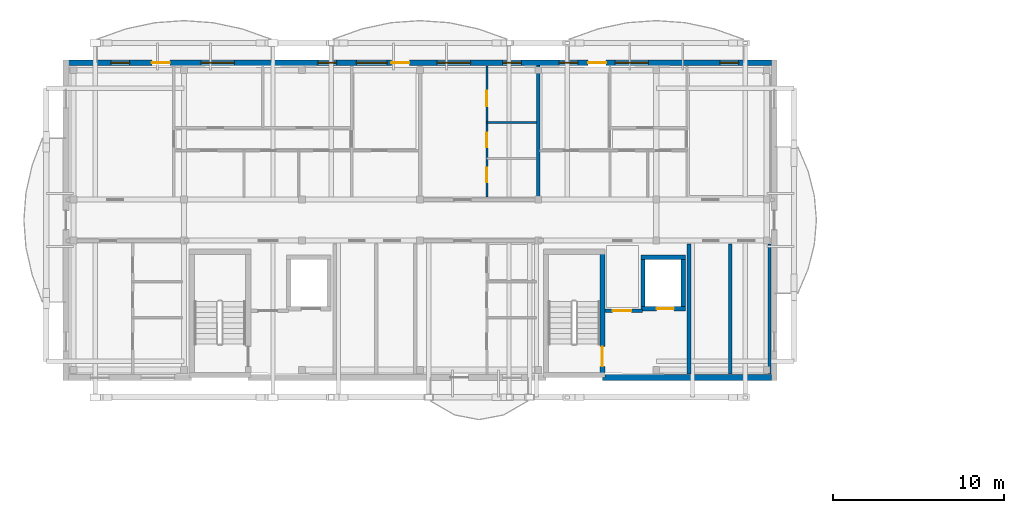
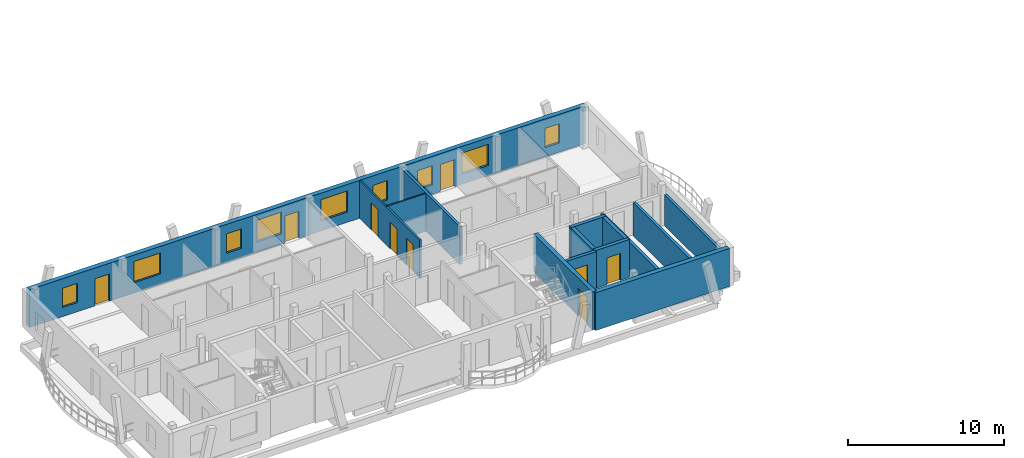
# One storey, part 19 of 33: 14 walls, 9 doors, 9 windows, 18 openings.
"""IFC4 building model written with IfcOpenShell, lengths in metres."""

import ifcopenshell
import ifcopenshell.guid

model = None  # the IFC model being written
_history = None  # IfcOwnerHistory: only IFC2X3 demands one
_inside = {}  # id of a spatial element -> (the spatial element, [elements in it])
_under = {}  # id of a project, library or spatial element -> (it, [spatial elements below it])
_declared = {}  # id of a project -> (the project, [libraries it declares])
_typed = {}  # id of a type object -> (the type object, [elements of that type])
_made_of = {}  # id of a material, layer set ... -> (it, [elements and type objects made of it])


def new_model(schema):
    """Start an empty IFC model of exactly this schema.

    Asked for "IFC4X3", IfcOpenShell would pick the latest addendum, in which some entities
    have other attributes; the version numbers below select the first issue.
    IFC2X3 requires an IfcOwnerHistory on every rooted entity: one is made here for all.
    """
    global model, _history
    if schema == "IFC4X3":
        model = ifcopenshell.file(schema_version=(4, 3, 0, 0))
    else:
        model = ifcopenshell.file(schema=schema)
    _inside.clear()
    _under.clear()
    _declared.clear()
    _typed.clear()
    _made_of.clear()
    _history = None
    if model.schema == "IFC2X3":
        org = make("IfcOrganization", Name="unknown")
        user = make(
            "IfcPersonAndOrganization",
            ThePerson=make("IfcPerson", FamilyName="unknown"),
            TheOrganization=org,
        )
        app = make(
            "IfcApplication",
            ApplicationDeveloper=org,
            Version="unknown",
            ApplicationFullName="unknown",
            ApplicationIdentifier="unknown",
        )
        _history = make(
            "IfcOwnerHistory",
            OwningUser=user,
            OwningApplication=app,
            ChangeAction="ADDED",
            CreationDate=0,
        )
    return model


def make(cls, **values):
    """One entity of the class cls with the attributes given. An attribute that is None is left unset."""
    return model.create_entity(
        cls, **{name: value for name, value in values.items() if value is not None}
    )


def rooted(cls, **values):
    """An entity with a GlobalId (a new one), such as an element, a storey or a relation."""
    return make(cls, GlobalId=ifcopenshell.guid.new(), OwnerHistory=_history, **values)


def si_unit(unit_type, name, prefix=None):
    """IfcSIUnit, for example si_unit("LENGTHUNIT", "METRE", prefix="MILLI")."""
    return make("IfcSIUnit", UnitType=unit_type, Prefix=prefix, Name=name)


def assignment(units):
    """IfcUnitAssignment: the units of a project."""
    return None if units is None else make("IfcUnitAssignment", Units=units)


def point(xyz):
    """IfcCartesianPoint."""
    return None if xyz is None else make("IfcCartesianPoint", Coordinates=xyz)


def direction(xyz):
    """IfcDirection."""
    return None if xyz is None else make("IfcDirection", DirectionRatios=xyz)


def frame(location, z_axis=None, x_axis=None):
    """IfcAxis2Placement3D, a coordinate frame: its origin and axes. An axis left out is left unset."""
    return make(
        "IfcAxis2Placement3D",
        Location=point(location),
        Axis=direction(z_axis),
        RefDirection=direction(x_axis),
    )


def frame_2d(location, x_axis=None):
    """IfcAxis2Placement2D, a coordinate frame in the plane: its origin and x axis."""
    return make(
        "IfcAxis2Placement2D", Location=point(location), RefDirection=direction(x_axis)
    )


def origin():
    """The frame at (0, 0, 0) with its axes left unset."""
    return frame((0.0, 0.0, 0.0))


def origin_with_axes():
    """The frame at (0, 0, 0) with the z axis (0, 0, 1) and the x axis (1, 0, 0) written out."""
    return frame((0.0, 0.0, 0.0), z_axis=(0.0, 0.0, 1.0), x_axis=(1.0, 0.0, 0.0))


def place(relative_to, where):
    """IfcLocalPlacement: puts the frame where relative to a parent placement (None: the world)."""
    return make(
        "IfcLocalPlacement", PlacementRelTo=relative_to, RelativePlacement=where
    )


def context(
    kind, dimensions, precision=None, world=None, true_north=None, identifier=None
):
    """IfcGeometricRepresentationContext, for example the 3D "Model" context."""
    return make(
        "IfcGeometricRepresentationContext",
        ContextIdentifier=identifier,
        ContextType=kind,
        CoordinateSpaceDimension=dimensions,
        Precision=precision,
        WorldCoordinateSystem=world,
        TrueNorth=true_north,
    )


def subcontext(parent, identifier, kind, view, scale=None):
    """IfcGeometricRepresentationSubContext, for example "Body" below "Model"."""
    return make(
        "IfcGeometricRepresentationSubContext",
        ContextIdentifier=identifier,
        ContextType=kind,
        ParentContext=parent,
        TargetScale=scale,
        TargetView=view,
    )


def project(units=None, contexts=None):
    """IfcProject with its units and contexts."""
    return rooted(
        "IfcProject",
        Name="project",
        RepresentationContexts=contexts,
        UnitsInContext=assignment(units),
    )


def spatial(cls, under=None, at=None, **own):
    """A site, building, storey or space (cls), placed at a placement, below another one or the project."""
    s = rooted(cls, ObjectPlacement=at, **own)
    if under is not None:
        _under.setdefault(under.id(), (under, []))[1].append(s)
    return s


def profile(cls, at=None, kind="AREA", **sizes):
    """A parametric profile (cls). Its sizes go by their IFC names, for example OverallWidth=200.0."""
    return make(cls, ProfileType=kind, Position=at, **sizes)


def rectangle(**sizes):
    """IfcRectangleProfileDef."""
    return profile("IfcRectangleProfileDef", **sizes)


def extrude(swept, where, along, depth):
    """IfcExtrudedAreaSolid: the profile swept, set in the frame where, extruded along a direction by depth."""
    return make(
        "IfcExtrudedAreaSolid",
        SweptArea=swept,
        Position=where,
        ExtrudedDirection=direction(along),
        Depth=depth,
    )


def shape(context_of_items, identifier, shape_type, items):
    """IfcShapeRepresentation: the items that make up one representation, for example the "Body"."""
    return make(
        "IfcShapeRepresentation",
        ContextOfItems=context_of_items,
        RepresentationIdentifier=identifier,
        RepresentationType=shape_type,
        Items=items,
    )


def material(Name=None, Category=None):
    """IfcMaterial."""
    return make("IfcMaterial", Name=Name, Category=Category)


def layer(
    of_material, thickness, ventilated=None, Name=None, Category=None, Priority=None
):
    """IfcMaterialLayer: one layer of a wall or slab, of a material (None: an air gap)."""
    return make(
        "IfcMaterialLayer",
        Material=of_material,
        LayerThickness=thickness,
        IsVentilated=ventilated,
        Name=Name,
        Category=Category,
        Priority=Priority,
    )


def layer_set(layers, Name=None):
    """IfcMaterialLayerSet."""
    return make("IfcMaterialLayerSet", MaterialLayers=layers, LayerSetName=Name)


def made_of(thing, what):
    """Note that an element or type object is made of a material, layer set ...; save() writes the relation."""
    if what is not None:
        _made_of.setdefault(what.id(), (what, []))[1].append(thing)
    return thing


def type_object(cls, material=None, **own):
    """A type object (cls), such as IfcWallType, which elements share."""
    return made_of(rooted(cls, **own), material)


def element(
    cls,
    number,
    at=None,
    inside=None,
    cuts=None,
    type_object=None,
    material=None,
    context=None,
    identifier="Body",
    shape_type=None,
    held_by="IfcProductDefinitionShape",
    body=None,
    shapes=None,
    **own,
):
    """One element of the class cls, such as IfcWall. Its Tag is "e" and its number.

    at: its placement. inside: the storey or other place that contains it. cuts: it is an
    opening in that element (IfcRelVoidsElement). A single representation is given by context,
    identifier, shape_type and body (its items); several are given by shapes. held_by: the class
    of the entity that holds the representations. save() writes the other relations.
    """
    e = rooted(cls, Tag="e%d" % number, ObjectPlacement=at, **own)
    if body is not None:
        shapes = [shape(context, identifier, shape_type, body)]
    if shapes is not None:
        e.Representation = make(held_by, Representations=shapes)
    if inside is not None:
        _inside.setdefault(inside.id(), (inside, []))[1].append(e)
    if cuts is not None:
        rooted(
            "IfcRelVoidsElement", RelatingBuildingElement=cuts, RelatedOpeningElement=e
        )
    if type_object is not None:
        _typed.setdefault(type_object.id(), (type_object, []))[1].append(e)
    return made_of(e, material)


def fill(opening, filler):
    """IfcRelFillsElement: the door or window that sits in an opening."""
    return rooted(
        "IfcRelFillsElement",
        RelatingOpeningElement=opening,
        RelatedBuildingElement=filler,
    )


def aggregate(whole, parts):
    """IfcRelAggregates: a whole, such as a stair, and the parts it consists of."""
    return rooted("IfcRelAggregates", RelatingObject=whole, RelatedObjects=parts)


def save(model, path):
    """Write the relations noted so far, then the file.

    IfcRelAggregates (storeys below a building ...), IfcRelContainedInSpatialStructure (elements
    in a storey), IfcRelDefinesByType, IfcRelAssociatesMaterial and IfcRelDeclares: one each for
    every whole, place, type object, material and project.
    """
    for whole, parts in _under.values():
        aggregate(whole, parts)
    for where, things in _inside.values():
        rooted(
            "IfcRelContainedInSpatialStructure",
            RelatedElements=things,
            RelatingStructure=where,
        )
    for kind, things in _typed.values():
        rooted("IfcRelDefinesByType", RelatedObjects=things, RelatingType=kind)
    for what, things in _made_of.values():
        rooted("IfcRelAssociatesMaterial", RelatedObjects=things, RelatingMaterial=what)
    for by, libraries in _declared.values():
        rooted("IfcRelDeclares", RelatingContext=by, RelatedDefinitions=libraries)
    model.write(path)


model = new_model("IFC4")

# Units and contexts
model_context = context("Model", 3, precision=1e-05, world=origin(), true_north=direction((0.0, 1.0)))
body_context = subcontext(model_context, "Body", "Model", "MODEL_VIEW")
ifc_project = project(units=[si_unit("LENGTHUNIT", "METRE"), si_unit("AREAUNIT", "SQUARE_METRE"), si_unit("VOLUMEUNIT", "CUBIC_METRE"), si_unit("PLANEANGLEUNIT", "RADIAN"), si_unit("MASSUNIT", "GRAM", prefix="KILO")], contexts=[model_context])

# Site, building, storey
site_placement = place(None, origin())
site = spatial("IfcSite", under=ifc_project, at=site_placement, CompositionType="ELEMENT")
building_placement = place(site_placement, origin())
building = spatial("IfcBuilding", under=site, at=building_placement, Name="Zavelmont Quarter", CompositionType="ELEMENT")
storey_placement = place(building_placement, frame((0.0, 0.0, 30.39990234375)))
storey = spatial("IfcBuildingStorey", under=building, at=storey_placement, Name="L09", CompositionType="ELEMENT", Elevation=30.39990234375)

# Wall
ifc_material_1 = material(Name="Natural Belgian limestone", Category="masonry")
ifc_layer_1 = layer(ifc_material_1, 0.340087890625)
ifc_layer_set_1 = layer_set([ifc_layer_1], Name="Natural Belgian limestone")
wall_type_1 = type_object("IfcWallType", Name="EW03", PredefinedType="STANDARD", material=ifc_layer_set_1)
wall_1_placement = place(storey_placement, frame((31.35009765625, 97.60009765625, 0.0), z_axis=(0.0, 0.0, 1.0), x_axis=(1.0, 0.0, 0.0)))
element("IfcWall", 1, at=wall_1_placement, inside=storey, type_object=wall_type_1, Name="L09 exterior limestone wall EW03", PredefinedType="STANDARD", context=body_context, shape_type="SweptSolid", body=[
    extrude(rectangle(XDim=9.889892578125, YDim=0.340087890625, at=frame_2d((4.94482421875, 0.0))), origin(), (0.0, 0.0, 1.0), 2.960205078125),
])

# Wall, openings, doors, windows
wall_2_placement = place(storey_placement, frame((0.159912109375, 116.0, 0.0), z_axis=(0.0, 0.0, 1.0), x_axis=(1.0, 0.0, 0.0)))
wall_2 = element("IfcWall", 2, at=wall_2_placement, inside=storey, type_object=wall_type_1, Name="L09 exterior limestone wall EW03", PredefinedType="STANDARD", context=body_context, shape_type="SweptSolid", body=[
    extrude(rectangle(XDim=41.080078125, YDim=0.340087890625, at=frame_2d((20.5400390625, 0.0))), origin(), (0.0, 0.0, 1.0), 2.960205078125),
])
opening_1_placement = place(wall_2_placement, frame((4.86376953125, 0.0, 0.0)))
opening_1 = element("IfcOpeningElement", 3, at=opening_1_placement, cuts=wall_2, Name="Opening DR04A", PredefinedType="OPENING", context=body_context, shape_type="SweptSolid", body=[
    extrude(rectangle(XDim=1.050048828125, YDim=2.1201171875, at=frame_2d((0.52490234375, 1.06005859375))), frame((0.0, 0.18212890625, 0.0), z_axis=(0.0, -1.0, 0.0), x_axis=(1.0, 0.0, 0.0)), (0.0, 0.0, 1.0), 0.364013671875),
])
opening_2_placement = place(wall_2_placement, frame((18.860107421875, 0.0, 0.0)))
opening_2 = element("IfcOpeningElement", 4, at=opening_2_placement, cuts=wall_2, Name="Opening DR04A", PredefinedType="OPENING", context=body_context, shape_type="SweptSolid", body=[
    extrude(rectangle(XDim=1.050048828125, YDim=2.1201171875, at=frame_2d((0.52490234375, 1.06005859375))), frame((0.0, 0.18212890625, 0.0), z_axis=(0.0, -1.0, 0.0), x_axis=(1.0, 0.0, 0.0)), (0.0, 0.0, 1.0), 0.364013671875),
])
opening_3_placement = place(wall_2_placement, frame((30.36376953125, 0.0, 0.0)))
opening_3 = element("IfcOpeningElement", 5, at=opening_3_placement, cuts=wall_2, Name="Opening DR04A", PredefinedType="OPENING", context=body_context, shape_type="SweptSolid", body=[
    extrude(rectangle(XDim=1.050048828125, YDim=2.1201171875, at=frame_2d((0.52490234375, 1.06005859375))), frame((0.0, 0.18212890625, 0.0), z_axis=(0.0, -1.0, 0.0), x_axis=(1.0, 0.0, 0.0)), (0.0, 0.0, 1.0), 0.364013671875),
])
opening_4_placement = place(wall_2_placement, frame((2.4599609375, 0.0, 0.719970703125)))
opening_4 = element("IfcOpeningElement", 6, at=opening_4_placement, cuts=wall_2, Name="Opening WN09", PredefinedType="OPENING", context=body_context, shape_type="SweptSolid", body=[
    extrude(rectangle(XDim=1.10009765625, YDim=1.5, at=frame_2d((0.550048828125, 0.75))), frame((0.0, 0.18212890625, 0.0), z_axis=(0.0, -1.0, 0.0), x_axis=(1.0, 0.0, 0.0)), (0.0, 0.0, 1.0), 0.364013671875),
])
opening_5_placement = place(wall_2_placement, frame((7.735107421875, 0.0, 0.800048828125)))
opening_5 = element("IfcOpeningElement", 7, at=opening_5_placement, cuts=wall_2, Name="Opening WN24", PredefinedType="OPENING", context=body_context, shape_type="SweptSolid", body=[
    extrude(rectangle(XDim=1.949951171875, YDim=1.64990234375, at=frame_2d((0.97509765625, 0.824951171875))), frame((0.0, 0.18212890625, 0.0), z_axis=(0.0, -1.0, 0.0), x_axis=(1.0, 0.0, 0.0)), (0.0, 0.0, 1.0), 0.364013671875),
])
opening_6_placement = place(wall_2_placement, frame((14.56005859375, 0.0, 0.719970703125)))
opening_6 = element("IfcOpeningElement", 8, at=opening_6_placement, cuts=wall_2, Name="Opening WN09", PredefinedType="OPENING", context=body_context, shape_type="SweptSolid", body=[
    extrude(rectangle(XDim=1.10009765625, YDim=1.5, at=frame_2d((0.550048828125, 0.75))), frame((0.0, 0.18212890625, 0.0), z_axis=(0.0, -1.0, 0.0), x_axis=(1.0, 0.0, 0.0)), (0.0, 0.0, 1.0), 0.364013671875),
])
opening_7_placement = place(wall_2_placement, frame((16.81005859375, 0.0, 0.800048828125)))
opening_7 = element("IfcOpeningElement", 9, at=opening_7_placement, cuts=wall_2, Name="Opening WN02", PredefinedType="OPENING", context=body_context, shape_type="SweptSolid", body=[
    extrude(rectangle(XDim=1.800048828125, YDim=1.699951171875, at=frame_2d((0.89990234375, 0.85009765625))), frame((0.0, 0.18212890625, 0.0), z_axis=(0.0, -1.0, 0.0), x_axis=(1.0, 0.0, 0.0)), (0.0, 0.0, 1.0), 0.364013671875),
])
opening_8_placement = place(wall_2_placement, frame((21.534912109375, 0.0, 0.800048828125)))
opening_8 = element("IfcOpeningElement", 10, at=opening_8_placement, cuts=wall_2, Name="Opening WN24", PredefinedType="OPENING", context=body_context, shape_type="SweptSolid", body=[
    extrude(rectangle(XDim=1.949951171875, YDim=1.64990234375, at=frame_2d((0.97509765625, 0.824951171875))), frame((0.0, 0.18212890625, 0.0), z_axis=(0.0, -1.0, 0.0), x_axis=(1.0, 0.0, 0.0)), (0.0, 0.0, 1.0), 0.364013671875),
])
opening_9_placement = place(wall_2_placement, frame((25.360107421875, 0.0, 0.719970703125)))
opening_9 = element("IfcOpeningElement", 11, at=opening_9_placement, cuts=wall_2, Name="Opening WN09", PredefinedType="OPENING", context=body_context, shape_type="SweptSolid", body=[
    extrude(rectangle(XDim=1.10009765625, YDim=1.5, at=frame_2d((0.550048828125, 0.75))), frame((0.0, 0.18212890625, 0.0), z_axis=(0.0, -1.0, 0.0), x_axis=(1.0, 0.0, 0.0)), (0.0, 0.0, 1.0), 0.364013671875),
])
opening_10_placement = place(wall_2_placement, frame((28.659912109375, 0.0, 0.719970703125)))
opening_10 = element("IfcOpeningElement", 12, at=opening_10_placement, cuts=wall_2, Name="Opening WN09", PredefinedType="OPENING", context=body_context, shape_type="SweptSolid", body=[
    extrude(rectangle(XDim=1.10009765625, YDim=1.5, at=frame_2d((0.550048828125, 0.75))), frame((0.0, 0.18212890625, 0.0), z_axis=(0.0, -1.0, 0.0), x_axis=(1.0, 0.0, 0.0)), (0.0, 0.0, 1.0), 0.364013671875),
])
opening_11_placement = place(wall_2_placement, frame((31.93505859375, 0.0, 0.800048828125)))
opening_11 = element("IfcOpeningElement", 13, at=opening_11_placement, cuts=wall_2, Name="Opening WN24", PredefinedType="OPENING", context=body_context, shape_type="SweptSolid", body=[
    extrude(rectangle(XDim=1.949951171875, YDim=1.64990234375, at=frame_2d((0.97509765625, 0.824951171875))), frame((0.0, 0.18212890625, 0.0), z_axis=(0.0, -1.0, 0.0), x_axis=(1.0, 0.0, 0.0)), (0.0, 0.0, 1.0), 0.364013671875),
])
opening_12_placement = place(wall_2_placement, frame((38.06005859375, 0.0, 0.719970703125)))
opening_12 = element("IfcOpeningElement", 14, at=opening_12_placement, cuts=wall_2, Name="Opening WN09", PredefinedType="OPENING", context=body_context, shape_type="SweptSolid", body=[
    extrude(rectangle(XDim=1.10009765625, YDim=1.5, at=frame_2d((0.550048828125, 0.75))), frame((0.0, 0.18212890625, 0.0), z_axis=(0.0, -1.0, 0.0), x_axis=(1.0, 0.0, 0.0)), (0.0, 0.0, 1.0), 0.364013671875),
])
ifc_material_2 = material(Name="Thermally broken aluminium and double safety glass", Category="aluminium")
door_type_1 = type_object("IfcDoorType", Name="DR04A", OperationType="NOTDEFINED", PredefinedType="DOOR", material=ifc_material_2)
door_1_placement = place(opening_1_placement, frame((1.050048828125, 0.0, 0.0), z_axis=(0.0, 0.0, 1.0), x_axis=(-1.0, 0.0, 0.0)))
door_1 = element("IfcDoor", 15, at=door_1_placement, inside=storey, type_object=door_type_1, Name="Block B L09 glazed balcony door", OperationType="SINGLE_SWING_LEFT", OverallHeight=2.1201171875, OverallWidth=1.050048828125, PredefinedType="DOOR", context=body_context, shape_type="SweptSolid", body=[
    extrude(rectangle(XDim=1.050048828125, YDim=2.1201171875, at=frame_2d((0.52490234375, 1.06005859375))), frame((0.0, 0.02490234375, 0.0), z_axis=(0.0, -1.0, 0.0), x_axis=(1.0, 0.0, 0.0)), (0.0, 0.0, 1.0), 0.050048828125),
])
fill(opening_1, door_1)
door_2_placement = place(opening_2_placement, frame((1.050048828125, 0.0, 0.0), z_axis=(0.0, 0.0, 1.0), x_axis=(-1.0, 0.0, 0.0)))
door_2 = element("IfcDoor", 16, at=door_2_placement, inside=storey, type_object=door_type_1, Name="Block B L09 glazed balcony door", OperationType="SINGLE_SWING_LEFT", OverallHeight=2.1201171875, OverallWidth=1.050048828125, PredefinedType="DOOR", context=body_context, shape_type="SweptSolid", body=[
    extrude(rectangle(XDim=1.050048828125, YDim=2.1201171875, at=frame_2d((0.52490234375, 1.06005859375))), frame((0.0, 0.02490234375, 0.0), z_axis=(0.0, -1.0, 0.0), x_axis=(1.0, 0.0, 0.0)), (0.0, 0.0, 1.0), 0.050048828125),
])
fill(opening_2, door_2)
door_3_placement = place(opening_3_placement, frame((1.050048828125, 0.0, 0.0), z_axis=(0.0, 0.0, 1.0), x_axis=(-1.0, 0.0, 0.0)))
door_3 = element("IfcDoor", 17, at=door_3_placement, inside=storey, type_object=door_type_1, Name="Block B L09 glazed balcony door", OperationType="SINGLE_SWING_LEFT", OverallHeight=2.1201171875, OverallWidth=1.050048828125, PredefinedType="DOOR", context=body_context, shape_type="SweptSolid", body=[
    extrude(rectangle(XDim=1.050048828125, YDim=2.1201171875, at=frame_2d((0.52490234375, 1.06005859375))), frame((0.0, 0.02490234375, 0.0), z_axis=(0.0, -1.0, 0.0), x_axis=(1.0, 0.0, 0.0)), (0.0, 0.0, 1.0), 0.050048828125),
])
fill(opening_3, door_3)
ifc_material_3 = material(Name="Double low-E insulated glazing in thermally broken aluminium frame", Category="aluminium")
window_type_1 = type_object("IfcWindowType", Name="WN02", PartitioningType="SINGLE_PANEL", PredefinedType="WINDOW", material=ifc_material_3)
window_1_placement = place(opening_7_placement, origin_with_axes())
window_1 = element("IfcWindow", 18, at=window_1_placement, inside=storey, type_object=window_type_1, Name="L09 window WN02", OverallHeight=1.699951171875, OverallWidth=1.800048828125, PartitioningType="SINGLE_PANEL", PredefinedType="WINDOW", context=body_context, shape_type="SweptSolid", body=[
    extrude(rectangle(XDim=1.800048828125, YDim=1.699951171875, at=frame_2d((0.89990234375, 0.85009765625))), frame((0.0, 0.030029296875, 0.0), z_axis=(0.0, -1.0, 0.0), x_axis=(1.0, 0.0, 0.0)), (0.0, 0.0, 1.0), 0.06005859375),
])
fill(opening_7, window_1)
window_type_2 = type_object("IfcWindowType", Name="WN09", PartitioningType="SINGLE_PANEL", PredefinedType="WINDOW", material=ifc_material_3)
window_2_placement = place(opening_4_placement, origin_with_axes())
window_2 = element("IfcWindow", 19, at=window_2_placement, inside=storey, type_object=window_type_2, Name="L09 window WN09", OverallHeight=1.5, OverallWidth=1.10009765625, PartitioningType="SINGLE_PANEL", PredefinedType="WINDOW", context=body_context, shape_type="SweptSolid", body=[
    extrude(rectangle(XDim=1.10009765625, YDim=1.5, at=frame_2d((0.550048828125, 0.75))), frame((0.0, 0.030029296875, 0.0), z_axis=(0.0, -1.0, 0.0), x_axis=(1.0, 0.0, 0.0)), (0.0, 0.0, 1.0), 0.06005859375),
])
fill(opening_4, window_2)
window_3_placement = place(opening_6_placement, origin_with_axes())
window_3 = element("IfcWindow", 20, at=window_3_placement, inside=storey, type_object=window_type_2, Name="L09 window WN09", OverallHeight=1.5, OverallWidth=1.10009765625, PartitioningType="SINGLE_PANEL", PredefinedType="WINDOW", context=body_context, shape_type="SweptSolid", body=[
    extrude(rectangle(XDim=1.10009765625, YDim=1.5, at=frame_2d((0.550048828125, 0.75))), frame((0.0, 0.030029296875, 0.0), z_axis=(0.0, -1.0, 0.0), x_axis=(1.0, 0.0, 0.0)), (0.0, 0.0, 1.0), 0.06005859375),
])
fill(opening_6, window_3)
window_4_placement = place(opening_9_placement, origin_with_axes())
window_4 = element("IfcWindow", 21, at=window_4_placement, inside=storey, type_object=window_type_2, Name="L09 window WN09", OverallHeight=1.5, OverallWidth=1.10009765625, PartitioningType="SINGLE_PANEL", PredefinedType="WINDOW", context=body_context, shape_type="SweptSolid", body=[
    extrude(rectangle(XDim=1.10009765625, YDim=1.5, at=frame_2d((0.550048828125, 0.75))), frame((0.0, 0.030029296875, 0.0), z_axis=(0.0, -1.0, 0.0), x_axis=(1.0, 0.0, 0.0)), (0.0, 0.0, 1.0), 0.06005859375),
])
fill(opening_9, window_4)
window_5_placement = place(opening_10_placement, origin_with_axes())
window_5 = element("IfcWindow", 22, at=window_5_placement, inside=storey, type_object=window_type_2, Name="L09 window WN09", OverallHeight=1.5, OverallWidth=1.10009765625, PartitioningType="SINGLE_PANEL", PredefinedType="WINDOW", context=body_context, shape_type="SweptSolid", body=[
    extrude(rectangle(XDim=1.10009765625, YDim=1.5, at=frame_2d((0.550048828125, 0.75))), frame((0.0, 0.030029296875, 0.0), z_axis=(0.0, -1.0, 0.0), x_axis=(1.0, 0.0, 0.0)), (0.0, 0.0, 1.0), 0.06005859375),
])
fill(opening_10, window_5)
window_6_placement = place(opening_12_placement, origin_with_axes())
window_6 = element("IfcWindow", 23, at=window_6_placement, inside=storey, type_object=window_type_2, Name="L09 window WN09", OverallHeight=1.5, OverallWidth=1.10009765625, PartitioningType="SINGLE_PANEL", PredefinedType="WINDOW", context=body_context, shape_type="SweptSolid", body=[
    extrude(rectangle(XDim=1.10009765625, YDim=1.5, at=frame_2d((0.550048828125, 0.75))), frame((0.0, 0.030029296875, 0.0), z_axis=(0.0, -1.0, 0.0), x_axis=(1.0, 0.0, 0.0)), (0.0, 0.0, 1.0), 0.06005859375),
])
fill(opening_12, window_6)
window_type_3 = type_object("IfcWindowType", Name="WN24", PartitioningType="SINGLE_PANEL", PredefinedType="WINDOW", material=ifc_material_3)
window_7_placement = place(opening_5_placement, origin_with_axes())
window_7 = element("IfcWindow", 24, at=window_7_placement, inside=storey, type_object=window_type_3, Name="L09 window WN24", OverallHeight=1.64990234375, OverallWidth=1.949951171875, PartitioningType="SINGLE_PANEL", PredefinedType="WINDOW", context=body_context, shape_type="SweptSolid", body=[
    extrude(rectangle(XDim=1.949951171875, YDim=1.64990234375, at=frame_2d((0.97509765625, 0.824951171875))), frame((0.0, 0.030029296875, 0.0), z_axis=(0.0, -1.0, 0.0), x_axis=(1.0, 0.0, 0.0)), (0.0, 0.0, 1.0), 0.06005859375),
])
fill(opening_5, window_7)
window_8_placement = place(opening_8_placement, origin_with_axes())
window_8 = element("IfcWindow", 25, at=window_8_placement, inside=storey, type_object=window_type_3, Name="L09 window WN24", OverallHeight=1.64990234375, OverallWidth=1.949951171875, PartitioningType="SINGLE_PANEL", PredefinedType="WINDOW", context=body_context, shape_type="SweptSolid", body=[
    extrude(rectangle(XDim=1.949951171875, YDim=1.64990234375, at=frame_2d((0.97509765625, 0.824951171875))), frame((0.0, 0.030029296875, 0.0), z_axis=(0.0, -1.0, 0.0), x_axis=(1.0, 0.0, 0.0)), (0.0, 0.0, 1.0), 0.06005859375),
])
fill(opening_8, window_8)
window_9_placement = place(opening_11_placement, origin_with_axes())
window_9 = element("IfcWindow", 26, at=window_9_placement, inside=storey, type_object=window_type_3, Name="L09 window WN24", OverallHeight=1.64990234375, OverallWidth=1.949951171875, PartitioningType="SINGLE_PANEL", PredefinedType="WINDOW", context=body_context, shape_type="SweptSolid", body=[
    extrude(rectangle(XDim=1.949951171875, YDim=1.64990234375, at=frame_2d((0.97509765625, 0.824951171875))), frame((0.0, 0.030029296875, 0.0), z_axis=(0.0, -1.0, 0.0), x_axis=(1.0, 0.0, 0.0)), (0.0, 0.0, 1.0), 0.06005859375),
])
fill(opening_11, window_9)

# Walls
ifc_material_4 = material(Name="Calcium-silicate blockwork and acoustic plaster", Category="masonry")
ifc_layer_2 = layer(ifc_material_4, 0.199951171875)
ifc_layer_set_2 = layer_set([ifc_layer_2], Name="Calcium-silicate blockwork and acoustic plaster")
wall_type_2 = type_object("IfcWallType", Name="IW01", PredefinedType="PARTITIONING", material=ifc_layer_set_2)
wall_3_placement = place(storey_placement, frame((38.824951171875, 97.800048828125, 0.0), z_axis=(0.0, 0.0, 1.0), x_axis=(0.0, 1.0, 0.0)))
element("IfcWall", 27, at=wall_3_placement, inside=storey, type_object=wall_type_2, Name="L09 Service riser divider wall IW01", PredefinedType="PARTITIONING", context=body_context, shape_type="SweptSolid", body=[
    extrude(rectangle(XDim=7.599853515625, YDim=0.199951171875, at=frame_2d((3.7998046875, 0.0))), origin(), (0.0, 0.0, 1.0), 2.590087890625),
])
wall_4_placement = place(storey_placement, frame((41.1201171875, 97.800048828125, 0.0), z_axis=(0.0, 0.0, 1.0), x_axis=(0.0, 1.0, 0.0)))
element("IfcWall", 28, at=wall_4_placement, inside=storey, type_object=wall_type_2, Name="L09 Core service end wall IW01", PredefinedType="PARTITIONING", context=body_context, shape_type="SweptSolid", body=[
    extrude(rectangle(XDim=7.599853515625, YDim=0.199951171875, at=frame_2d((3.7998046875, 0.0))), origin(), (0.0, 0.0, 1.0), 2.400146484375),
])
wall_5_placement = place(storey_placement, frame((27.60009765625, 108.14990234375, 0.0), z_axis=(0.0, 0.0, 1.0), x_axis=(0.0, 1.0, 0.0)))
element("IfcWall", 29, at=wall_5_placement, inside=storey, type_object=wall_type_2, Name="L09 Inter-dwelling compartment wall IW01", PredefinedType="PARTITIONING", context=body_context, shape_type="SweptSolid", body=[
    extrude(rectangle(XDim=7.7001953125, YDim=0.199951171875, at=frame_2d((3.85009765625, 0.0))), origin(), (0.0, 0.0, 1.0), 2.960205078125),
])
ifc_material_5 = material(Name="Reinforced masonry fire compartment wall", Category="masonry")
ifc_layer_3 = layer(ifc_material_5, 0.22509765625)
ifc_layer_set_3 = layer_set([ifc_layer_3], Name="Reinforced masonry fire compartment wall")
wall_type_3 = type_object("IfcWallType", Name="IW02", PredefinedType="PARTITIONING", material=ifc_layer_set_3)
wall_6_placement = place(storey_placement, frame((36.409912109375, 97.800048828125, 0.0), z_axis=(0.0, 0.0, 1.0), x_axis=(0.0, 1.0, 0.0)))
element("IfcWall", 30, at=wall_6_placement, inside=storey, type_object=wall_type_3, Name="L09 Firefighting lobby enclosure wall IW02", PredefinedType="PARTITIONING", context=body_context, shape_type="SweptSolid", body=[
    extrude(rectangle(XDim=7.599853515625, YDim=0.22509765625, at=frame_2d((3.7998046875, 0.0))), origin(), (0.0, 0.0, 1.0), 2.590087890625),
])

# Wall, opening, door
wall_7_placement = place(storey_placement, frame((31.5, 101.5, 0.0), z_axis=(0.0, 0.0, 1.0), x_axis=(1.0, 0.0, 0.0)))
wall_7 = element("IfcWall", 31, at=wall_7_placement, inside=storey, type_object=wall_type_3, Name="L09 Firefighting lobby threshold wall IW02", PredefinedType="PARTITIONING", context=body_context, shape_type="SweptSolid", body=[
    extrude(rectangle(XDim=2.199951171875, YDim=0.22509765625, at=frame_2d((1.10009765625, 0.0))), origin(), (0.0, 0.0, 1.0), 2.960205078125),
])
opening_13_placement = place(wall_7_placement, frame((0.449951171875, 0.0, 0.0)))
opening_13 = element("IfcOpeningElement", 32, at=opening_13_placement, cuts=wall_7, Name="Opening DR10", PredefinedType="OPENING", context=body_context, shape_type="SweptSolid", body=[
    extrude(rectangle(XDim=1.10009765625, YDim=2.14990234375, at=frame_2d((0.550048828125, 1.074951171875))), frame((0.0, 0.12451171875, 0.0), z_axis=(0.0, -1.0, 0.0), x_axis=(1.0, 0.0, 0.0)), (0.0, 0.0, 1.0), 0.2490234375),
])
ifc_material_6 = material(Name="Painted steel lobby fire door", Category="steel")
door_type_2 = type_object("IfcDoorType", Name="DR10", OperationType="NOTDEFINED", PredefinedType="DOOR", material=ifc_material_6)
door_4_placement = place(opening_13_placement, frame((1.10009765625, 0.0, 0.0), z_axis=(0.0, 0.0, 1.0), x_axis=(-1.0, 0.0, 0.0)))
door_4 = element("IfcDoor", 33, at=door_4_placement, inside=storey, type_object=door_type_2, Name="Firefighting lobby fire door", OperationType="SINGLE_SWING_RIGHT", OverallHeight=2.14990234375, OverallWidth=1.10009765625, PredefinedType="DOOR", context=body_context, shape_type="SweptSolid", body=[
    extrude(rectangle(XDim=1.10009765625, YDim=2.14990234375, at=frame_2d((0.550048828125, 1.074951171875))), frame((0.0, 0.02490234375, 0.0), z_axis=(0.0, -1.0, 0.0), x_axis=(1.0, 0.0, 0.0)), (0.0, 0.0, 1.0), 0.050048828125),
])
fill(opening_13, door_4)

# Wall, openings, doors
ifc_material_7 = material(Name="Double gypsum board on acoustic steel stud", Category="steel")
ifc_layer_4 = layer(ifc_material_7, 0.125)
ifc_layer_set_4 = layer_set([ifc_layer_4], Name="Double gypsum board on acoustic steel stud")
wall_type_4 = type_object("IfcWallType", Name="IW03", PredefinedType="PARTITIONING", material=ifc_layer_set_4)
wall_8_placement = place(storey_placement, frame((24.60009765625, 108.14990234375, 0.0), z_axis=(0.0, 0.0, 1.0), x_axis=(0.0, 1.0, 0.0)))
wall_8 = element("IfcWall", 34, at=wall_8_placement, inside=storey, type_object=wall_type_4, Name="L09 Partition IW03", PredefinedType="PARTITIONING", context=body_context, shape_type="SweptSolid", body=[
    extrude(rectangle(XDim=7.650146484375, YDim=0.125, at=frame_2d((3.8251953125, 0.0))), origin(), (0.0, 0.0, 1.0), 2.960205078125),
])
opening_14_placement = place(wall_8_placement, frame((0.85009765625, 0.0, 0.0)))
opening_14 = element("IfcOpeningElement", 35, at=opening_14_placement, cuts=wall_8, Name="Opening DR16", PredefinedType="OPENING", context=body_context, shape_type="SweptSolid", body=[
    extrude(rectangle(XDim=0.85009765625, YDim=2.10009765625, at=frame_2d((0.425048828125, 1.050048828125))), frame((0.0, 0.074462890625, 0.0), z_axis=(0.0, -1.0, 0.0), x_axis=(1.0, 0.0, 0.0)), (0.0, 0.0, 1.0), 0.14892578125),
])
opening_15_placement = place(wall_8_placement, frame((2.89990234375, 0.0, 0.0)))
opening_15 = element("IfcOpeningElement", 36, at=opening_15_placement, cuts=wall_8, Name="Opening DR06", PredefinedType="OPENING", context=body_context, shape_type="SweptSolid", body=[
    extrude(rectangle(XDim=0.85009765625, YDim=2.050048828125, at=frame_2d((0.425048828125, 1.02490234375))), frame((0.0, 0.074462890625, 0.0), z_axis=(0.0, -1.0, 0.0), x_axis=(1.0, 0.0, 0.0)), (0.0, 0.0, 1.0), 0.14892578125),
])
opening_16_placement = place(wall_8_placement, frame((5.300048828125, 0.0, 0.0)))
opening_16 = element("IfcOpeningElement", 37, at=opening_16_placement, cuts=wall_8, Name="Opening DR05", PredefinedType="OPENING", context=body_context, shape_type="SweptSolid", body=[
    extrude(rectangle(XDim=0.89990234375, YDim=2.10009765625, at=frame_2d((0.449951171875, 1.050048828125))), frame((0.0, 0.074462890625, 0.0), z_axis=(0.0, -1.0, 0.0), x_axis=(1.0, 0.0, 0.0)), (0.0, 0.0, 1.0), 0.14892578125),
])
ifc_material_8 = material(Name="Engineered oak flush interior door")
door_type_3 = type_object("IfcDoorType", Name="DR05", OperationType="NOTDEFINED", PredefinedType="DOOR", material=ifc_material_8)
door_5_placement = place(opening_16_placement, frame((0.89990234375, 0.0, 0.0), z_axis=(0.0, 0.0, 1.0), x_axis=(-1.0, 0.0, 0.0)))
door_5 = element("IfcDoor", 38, at=door_5_placement, inside=storey, type_object=door_type_3, Name="L09 door DR05", OperationType="SINGLE_SWING_RIGHT", OverallHeight=2.10009765625, OverallWidth=0.89990234375, PredefinedType="DOOR", context=body_context, shape_type="SweptSolid", body=[
    extrude(rectangle(XDim=0.89990234375, YDim=2.10009765625, at=frame_2d((0.449951171875, 1.050048828125))), frame((0.0, 0.02490234375, 0.0), z_axis=(0.0, -1.0, 0.0), x_axis=(1.0, 0.0, 0.0)), (0.0, 0.0, 1.0), 0.050048828125),
])
fill(opening_16, door_5)
ifc_material_9 = material(Name="Moisture-resistant painted wet-room door")
door_type_4 = type_object("IfcDoorType", Name="DR06", OperationType="NOTDEFINED", PredefinedType="DOOR", material=ifc_material_9)
door_6_placement = place(opening_15_placement, origin_with_axes())
door_6 = element("IfcDoor", 39, at=door_6_placement, inside=storey, type_object=door_type_4, Name="L09 door DR06", OperationType="SINGLE_SWING_LEFT", OverallHeight=2.050048828125, OverallWidth=0.85009765625, PredefinedType="DOOR", context=body_context, shape_type="SweptSolid", body=[
    extrude(rectangle(XDim=0.85009765625, YDim=2.050048828125, at=frame_2d((0.425048828125, 1.02490234375))), frame((0.0, 0.02490234375, 0.0), z_axis=(0.0, -1.0, 0.0), x_axis=(1.0, 0.0, 0.0)), (0.0, 0.0, 1.0), 0.050048828125),
])
fill(opening_15, door_6)
door_type_5 = type_object("IfcDoorType", Name="DR16", OperationType="NOTDEFINED", PredefinedType="DOOR", material=ifc_material_8)
door_7_placement = place(opening_14_placement, frame((0.85009765625, 0.0, 0.0), z_axis=(0.0, 0.0, 1.0), x_axis=(-1.0, 0.0, 0.0)))
door_7 = element("IfcDoor", 40, at=door_7_placement, inside=storey, type_object=door_type_5, Name="L09 door DR16", OperationType="SINGLE_SWING_RIGHT", OverallHeight=2.10009765625, OverallWidth=0.85009765625, PredefinedType="DOOR", context=body_context, shape_type="SweptSolid", body=[
    extrude(rectangle(XDim=0.85009765625, YDim=2.10009765625, at=frame_2d((0.425048828125, 1.050048828125))), frame((0.0, 0.02490234375, 0.0), z_axis=(0.0, -1.0, 0.0), x_axis=(1.0, 0.0, 0.0)), (0.0, 0.0, 1.0), 0.050048828125),
])
fill(opening_14, door_7)

# Wall
ifc_material_10 = material(Name="Moisture-resistant gypsum board on steel stud", Category="steel")
ifc_layer_5 = layer(ifc_material_10, 0.10009765625)
ifc_layer_set_5 = layer_set([ifc_layer_5], Name="Moisture-resistant gypsum board on steel stud")
wall_type_5 = type_object("IfcWallType", Name="IW04", PredefinedType="PARTITIONING", material=ifc_layer_set_5)
wall_9_placement = place(storey_placement, frame((24.60009765625, 112.5, 0.0), z_axis=(0.0, 0.0, 1.0), x_axis=(1.0, 0.0, 0.0)))
element("IfcWall", 41, at=wall_9_placement, inside=storey, type_object=wall_type_5, Name="L09 Partition IW04", PredefinedType="PARTITIONING", context=body_context, shape_type="SweptSolid", body=[
    extrude(rectangle(XDim=2.89990234375, YDim=0.10009765625, at=frame_2d((1.449951171875, 0.0))), origin(), (0.0, 0.0, 1.0), 2.960205078125),
])

# Wall, opening, door
ifc_material_11 = material(Name="Concrete C40/50", Category="concrete")
ifc_layer_6 = layer(ifc_material_11, 0.300048828125)
ifc_layer_set_6 = layer_set([ifc_layer_6], Name="Concrete C40/50")
wall_type_6 = type_object("IfcWallType", Name="SW01", PredefinedType="SHEAR", material=ifc_layer_set_6)
wall_10_placement = place(storey_placement, frame((31.35009765625, 97.60009765625, 0.0), z_axis=(0.0, 0.0, 1.0), x_axis=(0.0, 1.0, 0.0)))
wall_10 = element("IfcWall", 42, at=wall_10_placement, inside=storey, type_object=wall_type_6, Name="L09 ST04 lobby shear wall SW01", PredefinedType="SHEAR", context=body_context, shape_type="SweptSolid", body=[
    extrude(rectangle(XDim=7.5, YDim=0.300048828125, at=frame_2d((3.75, 0.0))), origin(), (0.0, 0.0, 1.0), 2.960205078125),
])
opening_17_placement = place(wall_10_placement, frame((0.64990234375, 0.0, 0.0)))
opening_17 = element("IfcOpeningElement", 43, at=opening_17_placement, cuts=wall_10, Name="Opening DR09", PredefinedType="OPENING", context=body_context, shape_type="SweptSolid", body=[
    extrude(rectangle(XDim=1.14990234375, YDim=2.14990234375, at=frame_2d((0.574951171875, 1.074951171875))), frame((0.0, 0.162109375, 0.0), z_axis=(0.0, -1.0, 0.0), x_axis=(1.0, 0.0, 0.0)), (0.0, 0.0, 1.0), 0.323974609375),
])
ifc_material_12 = material(Name="Painted steel stair-core fire door", Category="steel")
door_type_6 = type_object("IfcDoorType", Name="DR09", OperationType="NOTDEFINED", PredefinedType="DOOR", material=ifc_material_12)
door_8_placement = place(opening_17_placement, origin_with_axes())
door_8 = element("IfcDoor", 44, at=door_8_placement, inside=storey, type_object=door_type_6, Name="ST04 protected stair door", OperationType="SINGLE_SWING_RIGHT", OverallHeight=2.14990234375, OverallWidth=1.14990234375, PredefinedType="DOOR", context=body_context, shape_type="SweptSolid", body=[
    extrude(rectangle(XDim=1.14990234375, YDim=2.14990234375, at=frame_2d((0.574951171875, 1.074951171875))), frame((0.0, 0.02490234375, 0.0), z_axis=(0.0, -1.0, 0.0), x_axis=(1.0, 0.0, 0.0)), (0.0, 0.0, 1.0), 0.050048828125),
])
fill(opening_17, door_8)

ifc_layer_7 = layer(ifc_material_11, 0.25)
ifc_layer_set_7 = layer_set([ifc_layer_7], Name="Concrete C40/50")
wall_type_7 = type_object("IfcWallType", Name="SW02", PredefinedType="SHEAR", material=ifc_layer_set_7)
wall_11_placement = place(storey_placement, frame((33.60009765625, 101.625, 0.0), z_axis=(0.0, 0.0, 1.0), x_axis=(1.0, 0.0, 0.0)))
wall_11 = element("IfcWall", 45, at=wall_11_placement, inside=storey, type_object=wall_type_7, Name="L09 Lift LF04 landing shaft wall SW02", PredefinedType="SHEAR", context=body_context, shape_type="SweptSolid", body=[
    extrude(rectangle(XDim=2.599853515625, YDim=0.25, at=frame_2d((1.2998046875, 0.0))), origin(), (0.0, 0.0, 1.0), 2.960205078125),
])
opening_18_placement = place(wall_11_placement, frame((0.925048828125, 0.0, 0.0)))
opening_18 = element("IfcOpeningElement", 46, at=opening_18_placement, cuts=wall_11, Name="Opening LD01", PredefinedType="OPENING", context=body_context, shape_type="SweptSolid", body=[
    extrude(rectangle(XDim=1.0, YDim=2.10009765625, at=frame_2d((0.5, 1.050048828125))), frame((0.0, 0.136962890625, 0.0), z_axis=(0.0, -1.0, 0.0), x_axis=(1.0, 0.0, 0.0)), (0.0, 0.0, 1.0), 0.27392578125),
])
ifc_material_13 = material(Name="Brushed stainless-steel automatic sliding landing door", Category="steel")
door_type_7 = type_object("IfcDoorType", Name="LD01", OperationType="SLIDING_TO_LEFT", PredefinedType="DOOR", material=ifc_material_13)
door_9_placement = place(opening_18_placement, origin_with_axes())
door_9 = element("IfcDoor", 47, at=door_9_placement, inside=storey, type_object=door_type_7, Name="Lift LF04 sliding landing door", OperationType="SLIDING_TO_LEFT", OverallHeight=2.10009765625, OverallWidth=1.0, PredefinedType="DOOR", context=body_context, shape_type="SweptSolid", body=[
    extrude(rectangle(XDim=1.0, YDim=2.10009765625, at=frame_2d((0.5, 1.050048828125))), frame((0.0, 0.02490234375, 0.0), z_axis=(0.0, -1.0, 0.0), x_axis=(1.0, 0.0, 0.0)), (0.0, 0.0, 1.0), 0.050048828125),
])
fill(opening_18, door_9)

# Walls
wall_12_placement = place(storey_placement, frame((33.60009765625, 104.625, 0.0), z_axis=(0.0, 0.0, 1.0), x_axis=(1.0, 0.0, 0.0)))
element("IfcWall", 48, at=wall_12_placement, inside=storey, type_object=wall_type_7, Name="L09 Lift LF04 back shaft wall SW02", PredefinedType="SHEAR", context=body_context, shape_type="SweptSolid", body=[
    extrude(rectangle(XDim=2.599853515625, YDim=0.25, at=frame_2d((1.2998046875, 0.0))), origin(), (0.0, 0.0, 1.0), 2.960205078125),
])
for number, where, z_axis, x_axis, name in (
    (49, (33.72509765625, 101.5, 0.0), (0.0, 0.0, 1.0), (0.0, 1.0, 0.0), "L09 Lift LF04 west shaft wall SW02"),
    (50, (36.074951171875, 101.5, 0.0), (0.0, 0.0, 1.0), (0.0, 1.0, 0.0), "L09 Lift LF04 east shaft wall SW02"),
):
    element("IfcWall", number, at=place(storey_placement, frame(where, z_axis=z_axis, x_axis=x_axis)), inside=storey, type_object=wall_type_7, Name=name, PredefinedType="SHEAR", context=body_context, shape_type="SweptSolid", body=[
        extrude(rectangle(XDim=3.25, YDim=0.25, at=frame_2d((1.625, 0.0))), origin(), (0.0, 0.0, 1.0), 2.960205078125),
    ])

save(model, "model.ifc")
